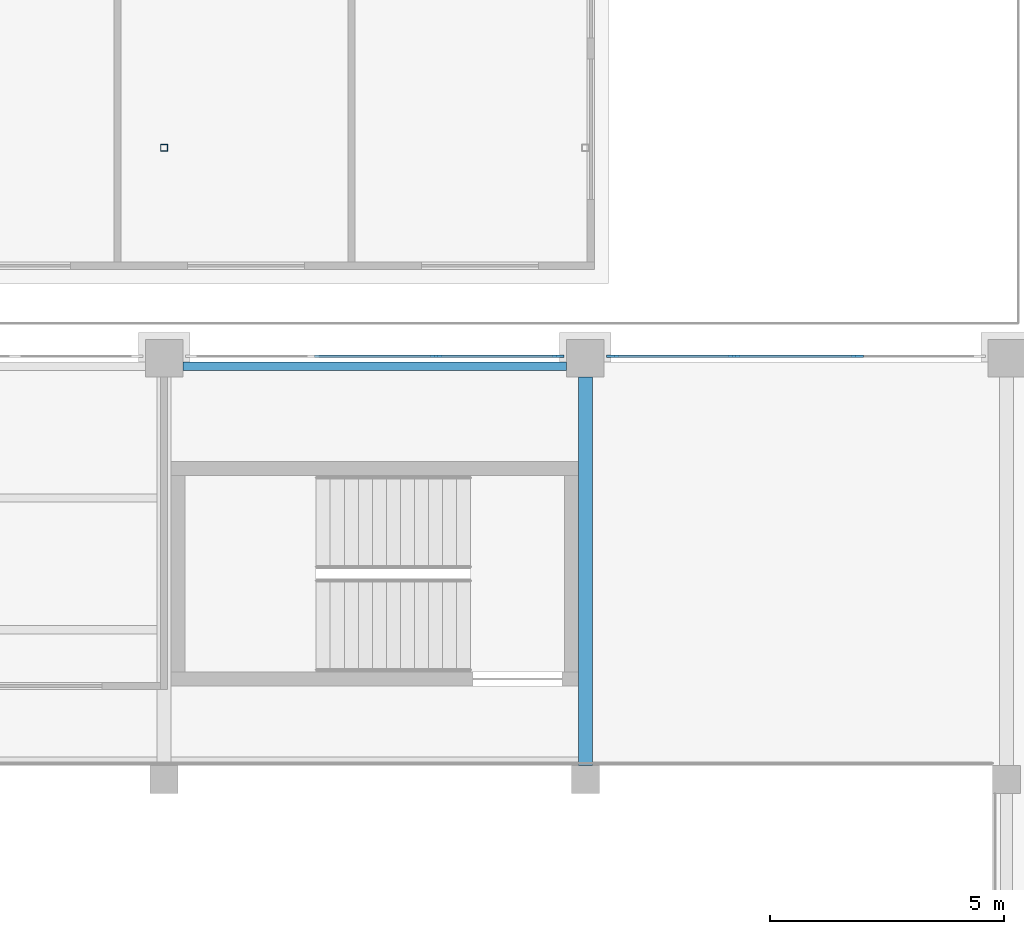
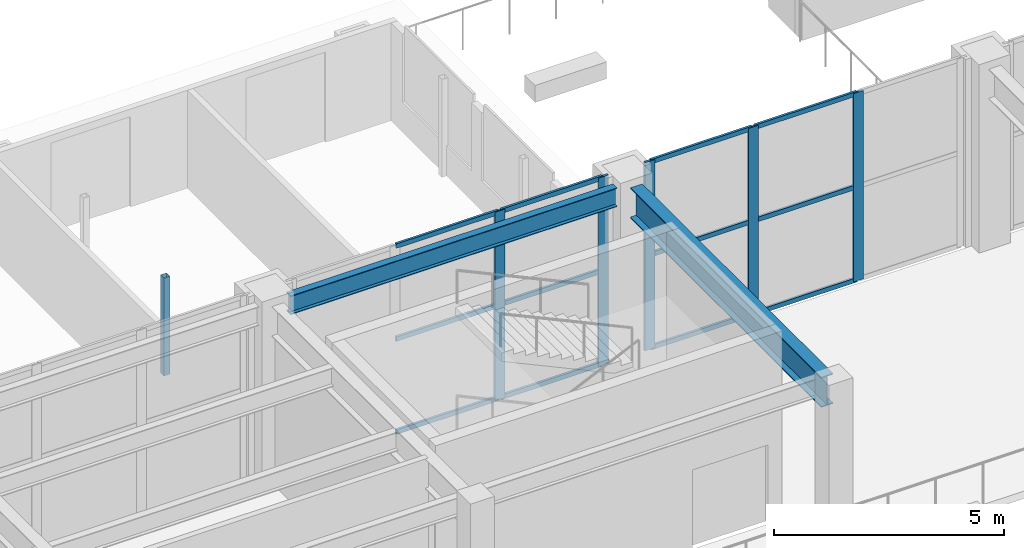
# One storey, part 22 of 67: 18 members, 2 beams, 2 elements without a shape of their own.
"""IFC4 building model written with IfcOpenShell, lengths in metres."""

from ifc_helpers import new_model, si_unit, direction, frame, origin, origin_2d, place, context, subcontext, project, spatial, rectangle, hollow_rectangle, i_section, extrude, material, material_profile, profile_set, type_object, element, aggregate, save


model = new_model("IFC4")

# Units and contexts
model_context = context("Model", 3, precision=1e-05, world=origin(), true_north=direction((0.0, 1.0)))
body_context = subcontext(model_context, "Body", "Model", "MODEL_VIEW")
ifc_project = project(units=[si_unit("LENGTHUNIT", "METRE"), si_unit("AREAUNIT", "SQUARE_METRE"), si_unit("VOLUMEUNIT", "CUBIC_METRE"), si_unit("PLANEANGLEUNIT", "RADIAN"), si_unit("MASSUNIT", "GRAM", prefix="KILO")], contexts=[model_context])

# Site, building, storey
site_placement = place(None, origin())
site = spatial("IfcSite", under=ifc_project, at=site_placement, CompositionType="ELEMENT")
building_placement = place(site_placement, origin())
building = spatial("IfcBuilding", under=site, at=building_placement, Name="Aravalli Gate Trade Fair Centre", CompositionType="ELEMENT")
storey_placement = place(building_placement, frame((0.0, 0.0, 5.0)))
storey = spatial("IfcBuildingStorey", under=building, at=storey_placement, Name="L01", CompositionType="ELEMENT", Elevation=5.0)

# Curtain wall, members
ifc_material_1 = material(Name="Aluminium and glass", Category="aluminium")
curtain_wall_type = type_object("IfcCurtainWallType", Name="Curtain wall 3000 module, tall", PredefinedType="NOTDEFINED", material=ifc_material_1)
curtain_wall_1_placement = place(storey_placement, origin())
curtain_wall_1 = element("IfcCurtainWall", 1, at=curtain_wall_1_placement, inside=storey, type_object=curtain_wall_type, Name="Curtain wall north bay 15 L01", PredefinedType="NOTDEFINED")
ifc_material_2 = material(Name="Aluminium", Category="aluminium")
ifc_material_profile_1 = material_profile(ifc_material_2, rectangle(XDim=0.06005859375, YDim=0.25, at=origin_2d()), Name="Concourse curtain wall mullion 60 x 250")
ifc_profile_set_1 = profile_set([ifc_material_profile_1], Name="Aluminium")
member_type_1 = type_object("IfcMemberType", Name="Concourse curtain wall mullion 60 x 250", PredefinedType="MULLION", material=ifc_profile_set_1)
member_1_placement = place(storey_placement, frame((128.816650390625, 133.044921875, 0.0), z_axis=(0.0, 0.0, 1.0), x_axis=(0.0, 1.0, 0.0)))
member_1 = element("IfcMember", 2, at=member_1_placement, type_object=member_type_1, Name="CW3 mullion 3", PredefinedType="MULLION", context=body_context, shape_type="SweptSolid", body=[
    extrude(rectangle(XDim=0.06005859375, YDim=0.25, at=origin_2d()), origin(), (0.0, 0.0, 1.0), 5.0),
])
member_2_placement = place(storey_placement, frame((131.419921875, 133.044921875, 0.0), z_axis=(0.0, 0.0, 1.0), x_axis=(0.0, 1.0, 0.0)))
member_2 = element("IfcMember", 3, at=member_2_placement, type_object=member_type_1, Name="CW3 mullion 4", PredefinedType="MULLION", context=body_context, shape_type="SweptSolid", body=[
    extrude(rectangle(XDim=0.06005859375, YDim=0.25, at=origin_2d()), origin(), (0.0, 0.0, 1.0), 5.0),
])

curtain_wall_2_placement = place(storey_placement, origin())
curtain_wall_2 = element("IfcCurtainWall", 4, at=curtain_wall_2_placement, inside=storey, type_object=curtain_wall_type, Name="Curtain wall north bay 16 L01", PredefinedType="NOTDEFINED")
member_3_placement = place(storey_placement, frame((132.580078125, 133.044921875, 0.0), z_axis=(0.0, 0.0, 1.0), x_axis=(0.0, 1.0, 0.0)))
member_3 = element("IfcMember", 5, at=member_3_placement, type_object=member_type_1, Name="CW3 mullion 1", PredefinedType="MULLION", context=body_context, shape_type="SweptSolid", body=[
    extrude(rectangle(XDim=0.06005859375, YDim=0.25, at=origin_2d()), origin(), (0.0, 0.0, 1.0), 5.0),
])
member_4_placement = place(storey_placement, frame((135.183349609375, 133.044921875, 0.0), z_axis=(0.0, 0.0, 1.0), x_axis=(0.0, 1.0, 0.0)))
member_4 = element("IfcMember", 6, at=member_4_placement, type_object=member_type_1, Name="CW3 mullion 2", PredefinedType="MULLION", context=body_context, shape_type="SweptSolid", body=[
    extrude(rectangle(XDim=0.06005859375, YDim=0.25, at=origin_2d()), origin(), (0.0, 0.0, 1.0), 5.0),
])
member_5_placement = place(storey_placement, frame((137.816650390625, 133.044921875, 0.0), z_axis=(0.0, 0.0, 1.0), x_axis=(0.0, 1.0, 0.0)))
member_5 = element("IfcMember", 7, at=member_5_placement, type_object=member_type_1, Name="CW3 mullion 3", PredefinedType="MULLION", context=body_context, shape_type="SweptSolid", body=[
    extrude(rectangle(XDim=0.06005859375, YDim=0.25, at=origin_2d()), origin(), (0.0, 0.0, 1.0), 5.0),
])

# Member
ifc_material_profile_2 = material_profile(ifc_material_2, rectangle(XDim=0.06005859375, YDim=0.1201171875, at=origin_2d()), Name="Concourse curtain wall transom 60 x 120")
ifc_profile_set_2 = profile_set([ifc_material_profile_2], Name="Aluminium")
member_type_2 = type_object("IfcMemberType", Name="Concourse curtain wall transom 60 x 120", PredefinedType="USERDEFINED", material=ifc_profile_set_2)
member_6_placement = place(storey_placement, frame((126.21337890625, 133.044921875, 0.030029296875), z_axis=(1.0, 0.0, 0.0), x_axis=(0.0, 1.0, 0.0)))
member_6 = element("IfcMember", 8, at=member_6_placement, type_object=member_type_2, Name="CW3 transom 2.1", ObjectType="TRANSOM", PredefinedType="USERDEFINED", context=body_context, shape_type="SweptSolid", body=[
    extrude(rectangle(XDim=0.06005859375, YDim=0.1201171875, at=origin_2d()), origin(), (0.0, 0.0, 1.0), 2.5732421875),
])

member_7_placement = place(storey_placement, frame((126.21337890625, 133.044921875, 2.5), z_axis=(1.0, 0.0, 0.0), x_axis=(0.0, 1.0, 0.0)))
member_7 = element("IfcMember", 9, at=member_7_placement, type_object=member_type_2, Name="CW3 transom 2.2", ObjectType="TRANSOM", PredefinedType="USERDEFINED", context=body_context, shape_type="SweptSolid", body=[
    extrude(rectangle(XDim=0.06005859375, YDim=0.1201171875, at=origin_2d()), origin(), (0.0, 0.0, 1.0), 2.5732421875),
])

member_8_placement = place(storey_placement, frame((126.21337890625, 133.044921875, 4.969970703125), z_axis=(1.0, 0.0, 0.0), x_axis=(0.0, 1.0, 0.0)))
member_8 = element("IfcMember", 10, at=member_8_placement, type_object=member_type_2, Name="CW3 transom 2.3", ObjectType="TRANSOM", PredefinedType="USERDEFINED", context=body_context, shape_type="SweptSolid", body=[
    extrude(rectangle(XDim=0.06005859375, YDim=0.1201171875, at=origin_2d()), origin(), (0.0, 0.0, 1.0), 2.5732421875),
])

member_9_placement = place(storey_placement, frame((128.8466796875, 133.044921875, 0.030029296875), z_axis=(1.0, 0.0, 0.0), x_axis=(0.0, 1.0, 0.0)))
member_9 = element("IfcMember", 11, at=member_9_placement, type_object=member_type_2, Name="CW3 transom 3.1", ObjectType="TRANSOM", PredefinedType="USERDEFINED", context=body_context, shape_type="SweptSolid", body=[
    extrude(rectangle(XDim=0.06005859375, YDim=0.1201171875, at=origin_2d()), origin(), (0.0, 0.0, 1.0), 2.543212890625),
])

member_10_placement = place(storey_placement, frame((128.8466796875, 133.044921875, 2.5), z_axis=(1.0, 0.0, 0.0), x_axis=(0.0, 1.0, 0.0)))
member_10 = element("IfcMember", 12, at=member_10_placement, type_object=member_type_2, Name="CW3 transom 3.2", ObjectType="TRANSOM", PredefinedType="USERDEFINED", context=body_context, shape_type="SweptSolid", body=[
    extrude(rectangle(XDim=0.06005859375, YDim=0.1201171875, at=origin_2d()), origin(), (0.0, 0.0, 1.0), 2.543212890625),
])

member_11_placement = place(storey_placement, frame((128.8466796875, 133.044921875, 4.969970703125), z_axis=(1.0, 0.0, 0.0), x_axis=(0.0, 1.0, 0.0)))
member_11 = element("IfcMember", 13, at=member_11_placement, type_object=member_type_2, Name="CW3 transom 3.3", ObjectType="TRANSOM", PredefinedType="USERDEFINED", context=body_context, shape_type="SweptSolid", body=[
    extrude(rectangle(XDim=0.06005859375, YDim=0.1201171875, at=origin_2d()), origin(), (0.0, 0.0, 1.0), 2.543212890625),
])

aggregate(curtain_wall_1, [member_1, member_2, member_6, member_7, member_8, member_9, member_10, member_11])

member_12_placement = place(storey_placement, frame((132.610107421875, 133.044921875, 0.030029296875), z_axis=(1.0, 0.0, 0.0), x_axis=(0.0, 1.0, 0.0)))
member_12 = element("IfcMember", 14, at=member_12_placement, type_object=member_type_2, Name="CW3 transom 1.1", ObjectType="TRANSOM", PredefinedType="USERDEFINED", context=body_context, shape_type="SweptSolid", body=[
    extrude(rectangle(XDim=0.06005859375, YDim=0.1201171875, at=origin_2d()), origin(), (0.0, 0.0, 1.0), 2.543212890625),
])

member_13_placement = place(storey_placement, frame((132.610107421875, 133.044921875, 2.5), z_axis=(1.0, 0.0, 0.0), x_axis=(0.0, 1.0, 0.0)))
member_13 = element("IfcMember", 15, at=member_13_placement, type_object=member_type_2, Name="CW3 transom 1.2", ObjectType="TRANSOM", PredefinedType="USERDEFINED", context=body_context, shape_type="SweptSolid", body=[
    extrude(rectangle(XDim=0.06005859375, YDim=0.1201171875, at=origin_2d()), origin(), (0.0, 0.0, 1.0), 2.543212890625),
])

member_14_placement = place(storey_placement, frame((132.610107421875, 133.044921875, 4.969970703125), z_axis=(1.0, 0.0, 0.0), x_axis=(0.0, 1.0, 0.0)))
member_14 = element("IfcMember", 16, at=member_14_placement, type_object=member_type_2, Name="CW3 transom 1.3", ObjectType="TRANSOM", PredefinedType="USERDEFINED", context=body_context, shape_type="SweptSolid", body=[
    extrude(rectangle(XDim=0.06005859375, YDim=0.1201171875, at=origin_2d()), origin(), (0.0, 0.0, 1.0), 2.543212890625),
])

member_15_placement = place(storey_placement, frame((135.21337890625, 133.044921875, 0.030029296875), z_axis=(1.0, 0.0, 0.0), x_axis=(0.0, 1.0, 0.0)))
member_15 = element("IfcMember", 17, at=member_15_placement, type_object=member_type_2, Name="CW3 transom 2.1", ObjectType="TRANSOM", PredefinedType="USERDEFINED", context=body_context, shape_type="SweptSolid", body=[
    extrude(rectangle(XDim=0.06005859375, YDim=0.1201171875, at=origin_2d()), origin(), (0.0, 0.0, 1.0), 2.5732421875),
])

member_16_placement = place(storey_placement, frame((135.21337890625, 133.044921875, 2.5), z_axis=(1.0, 0.0, 0.0), x_axis=(0.0, 1.0, 0.0)))
member_16 = element("IfcMember", 18, at=member_16_placement, type_object=member_type_2, Name="CW3 transom 2.2", ObjectType="TRANSOM", PredefinedType="USERDEFINED", context=body_context, shape_type="SweptSolid", body=[
    extrude(rectangle(XDim=0.06005859375, YDim=0.1201171875, at=origin_2d()), origin(), (0.0, 0.0, 1.0), 2.5732421875),
])

member_17_placement = place(storey_placement, frame((135.21337890625, 133.044921875, 4.969970703125), z_axis=(1.0, 0.0, 0.0), x_axis=(0.0, 1.0, 0.0)))
member_17 = element("IfcMember", 19, at=member_17_placement, type_object=member_type_2, Name="CW3 transom 2.3", ObjectType="TRANSOM", PredefinedType="USERDEFINED", context=body_context, shape_type="SweptSolid", body=[
    extrude(rectangle(XDim=0.06005859375, YDim=0.1201171875, at=origin_2d()), origin(), (0.0, 0.0, 1.0), 2.5732421875),
])

aggregate(curtain_wall_2, [member_3, member_4, member_5, member_12, member_13, member_14, member_15, member_16, member_17])

# Beams
ifc_material_3 = material(Name="Steel E350", Category="steel")
ifc_material_profile_3 = material_profile(ifc_material_3, i_section(OverallWidth=0.179931640625, OverallDepth=0.5, WebThickness=0.01025390625, FlangeThickness=0.01708984375, at=origin_2d()), Name="ISMB 500")
ifc_profile_set_3 = profile_set([ifc_material_profile_3], Name="Steel E350")
beam_type_1 = type_object("IfcBeamType", Name="ISMB 500 gallery secondary beam", PredefinedType="JOIST", material=ifc_profile_set_3)
beam_1_placement = place(storey_placement, frame((123.39990234375, 132.830078125, 4.550048828125), z_axis=(1.0, 0.0, 0.0), x_axis=(0.0, 1.0, 0.0)))
element("IfcBeam", 20, at=beam_1_placement, inside=storey, type_object=beam_type_1, Name="Gallery beam N5 14-15 L02", PredefinedType="JOIST", context=body_context, shape_type="SweptSolid", body=[
    extrude(i_section(OverallWidth=0.179931640625, OverallDepth=0.5, WebThickness=0.01025390625, FlangeThickness=0.01708984375, at=origin_2d()), origin(), (0.0, 0.0, 1.0), 8.2001953125),
])
ifc_material_profile_4 = material_profile(ifc_material_3, i_section(OverallWidth=0.300048828125, OverallDepth=0.800048828125, WebThickness=0.011962890625, FlangeThickness=0.02490234375, at=origin_2d()), Name="PG 800x300x12x25")
ifc_profile_set_4 = profile_set([ifc_material_profile_4], Name="Steel E350")
beam_type_2 = type_object("IfcBeamType", Name="PG 800x300x12x25 gallery plate girder", PredefinedType="BEAM", material=ifc_profile_set_4)
beam_2_placement = place(storey_placement, frame((132.0, 124.300048828125, 4.39990234375), z_axis=(0.0, 1.0, 0.0), x_axis=(-1.0, 0.0, 0.0)))
element("IfcBeam", 21, at=beam_2_placement, inside=storey, type_object=beam_type_2, Name="Gallery girder N15 L02", PredefinedType="BEAM", context=body_context, shape_type="SweptSolid", body=[
    extrude(i_section(OverallWidth=0.300048828125, OverallDepth=0.800048828125, WebThickness=0.011962890625, FlangeThickness=0.02490234375, at=origin_2d()), origin(), (0.0, 0.0, 1.0), 8.300048828125),
])

# Member
ifc_material_profile_5 = material_profile(ifc_material_3, hollow_rectangle(XDim=0.14990234375, YDim=0.14990234375, WallThickness=0.006103515625, at=origin_2d()), Name="SHS 150x150x6")
ifc_profile_set_5 = profile_set([ifc_material_profile_5], Name="Steel E350")
member_type_3 = type_object("IfcMemberType", Name="SHS 150x150x6 terrace pavilion post", PredefinedType="POST", material=ifc_profile_set_5)
member_18_placement = place(storey_placement, frame((123.0, 137.5, 0.0), z_axis=(0.0, 0.0, 1.0), x_axis=(1.0, 0.0, 0.0)))
element("IfcMember", 22, at=member_18_placement, inside=storey, type_object=member_type_3, Name="Terrace pavilion post 123.1", PredefinedType="POST", context=body_context, shape_type="SweptSolid", body=[
    extrude(hollow_rectangle(XDim=0.14990234375, YDim=0.14990234375, WallThickness=0.006103515625, at=origin_2d()), origin(), (0.0, 0.0, 1.0), 2.60009765625),
])

save(model, "model.ifc")
